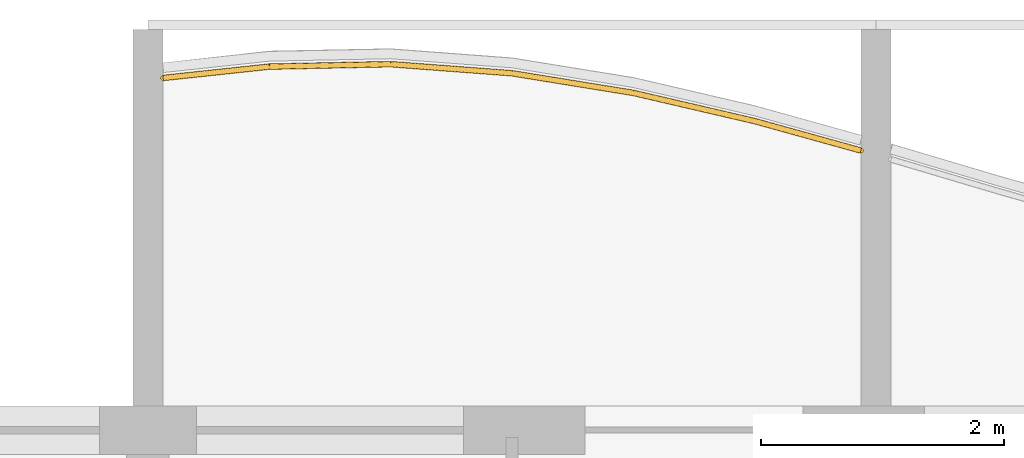
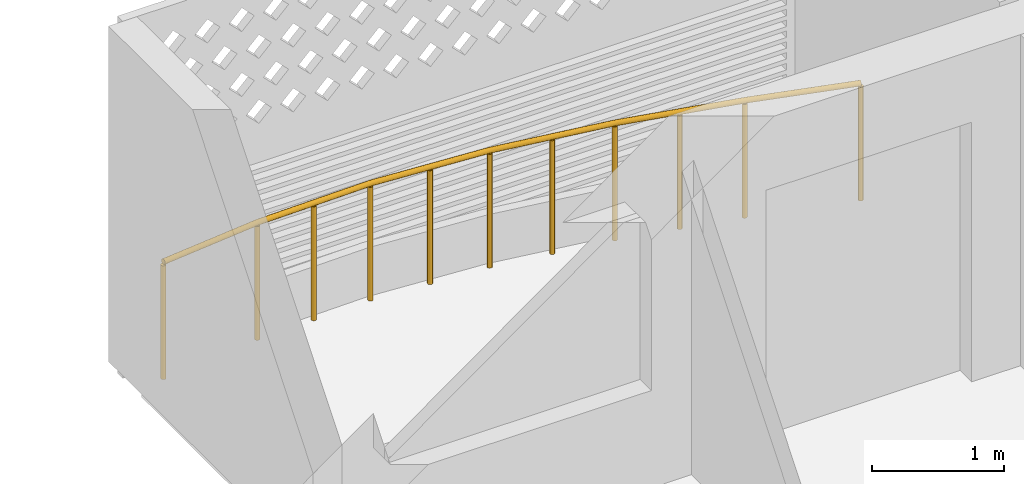
# One storey, part 24 of 30: 1 railing.
"""IFC4 building model written with IfcOpenShell, lengths in metres."""

from ifc_helpers import new_model, si_unit, direction, frame, origin, origin_2d, place, context, subcontext, project, spatial, circle, extrude, material, type_object, element, save


model = new_model("IFC4")

# Units and contexts
model_context = context("Model", 3, precision=1e-05, world=origin(), true_north=direction((0.0, 1.0)))
body_context = subcontext(model_context, "Body", "Model", "MODEL_VIEW")
ifc_project = project(units=[si_unit("LENGTHUNIT", "METRE"), si_unit("AREAUNIT", "SQUARE_METRE"), si_unit("VOLUMEUNIT", "CUBIC_METRE"), si_unit("PLANEANGLEUNIT", "RADIAN"), si_unit("MASSUNIT", "GRAM", prefix="KILO")], contexts=[model_context])

# Site, building, storey
site_placement = place(None, origin())
site = spatial("IfcSite", under=ifc_project, at=site_placement, CompositionType="ELEMENT")
building_placement = place(site_placement, origin())
building = spatial("IfcBuilding", under=site, at=building_placement, Name="Poui Terraces", CompositionType="ELEMENT")
storey_placement = place(building_placement, frame((0.0, 0.0, 99.300048828125)))
storey = spatial("IfcBuildingStorey", under=building, at=storey_placement, Name="L27", CompositionType="ELEMENT", Elevation=99.300048828125)

# Railing
ifc_material = material(Name="Painted steel fretwork", Category="steel")
railing_type = type_object("IfcRailingType", Name="BALCONY GUARD 1100", PredefinedType="GUARDRAIL", material=ifc_material)
railing_placement = place(storey_placement, frame((66.125, 46.502197265625, 0.0)))
element("IfcRailing", 1, at=railing_placement, inside=storey, type_object=railing_type, Name="BALCONY GUARD", PredefinedType="GUARDRAIL", context=body_context, shape_type="SweptSolid", body=[
    extrude(circle(Radius=0.02392578125, at=origin_2d()), frame((0.0, 0.0, 1.076171875), z_axis=(0.99430915392, 0.106533123634, 0.0), x_axis=(-0.106533123634, 0.99430915392, 0.0)), (0.0, 0.0, 1.0), 0.880126953125),
    extrude(circle(Radius=0.02392578125, at=origin_2d()), frame((0.875, 0.09375, 1.076171875), z_axis=(0.999799669399, 0.020015520725, 0.0), x_axis=(-0.020015520725, 0.999799669399, 0.0)), (0.0, 0.0, 1.0), 1.000244140625),
    extrude(circle(Radius=0.02392578125, at=origin_2d()), frame((1.875, 0.11376953125, 1.076171875), z_axis=(0.997202940152, -0.074741528962, 0.0), x_axis=(0.074741528962, 0.997202940152, 0.0)), (0.0, 0.0, 1.0), 1.002685546875),
    extrude(circle(Radius=0.02392578125, at=origin_2d()), frame((2.875, 0.038818359375, 1.076171875), z_axis=(0.987151750337, -0.159785549432, 0.0), x_axis=(0.159785549432, 0.987151750337, 0.0)), (0.0, 0.0, 1.0), 1.012939453125),
    extrude(circle(Radius=0.02392578125, at=origin_2d()), frame((3.875, -0.123046875, 1.076171875), z_axis=(0.974037301865, -0.226387576019, 0.0), x_axis=(0.226387576019, 0.974037301865, 0.0)), (0.0, 0.0, 1.0), 1.026611328125),
    extrude(circle(Radius=0.02392578125, at=origin_2d()), frame((4.875, -0.35546875, 1.076171875), z_axis=(0.963694902628, -0.267005870064, 0.0), x_axis=(0.267005870064, 0.963694902628, 0.0)), (0.0, 0.0, 1.0), 0.907958984375),
    extrude(circle(Radius=0.02099609375, at=origin_2d()), origin(), (0.0, 0.0, 1.0), 1.052001953125),
    extrude(circle(Radius=0.02099609375, at=origin_2d()), frame((0.875, 0.09375, 0.0)), (0.0, 0.0, 1.0), 1.052001953125),
    extrude(circle(Radius=0.02099609375, at=origin_2d()), frame((1.375, 0.103759765625, 0.0)), (0.0, 0.0, 1.0), 1.052001953125),
    extrude(circle(Radius=0.02099609375, at=origin_2d()), frame((1.875, 0.11376953125, 0.0)), (0.0, 0.0, 1.0), 1.052001953125),
    extrude(circle(Radius=0.02099609375, at=origin_2d()), frame((2.375, 0.076171875, 0.0)), (0.0, 0.0, 1.0), 1.052001953125),
    extrude(circle(Radius=0.02099609375, at=origin_2d()), frame((2.875, 0.038818359375, 0.0)), (0.0, 0.0, 1.0), 1.052001953125),
    extrude(circle(Radius=0.02099609375, at=origin_2d()), frame((3.375, -0.0419921875, 0.0)), (0.0, 0.0, 1.0), 1.052001953125),
    extrude(circle(Radius=0.02099609375, at=origin_2d()), frame((3.875, -0.123046875, 0.0)), (0.0, 0.0, 1.0), 1.052001953125),
    extrude(circle(Radius=0.02099609375, at=origin_2d()), frame((4.375, -0.2392578125, 0.0)), (0.0, 0.0, 1.0), 1.052001953125),
    extrude(circle(Radius=0.02099609375, at=origin_2d()), frame((4.875, -0.35546875, 0.0)), (0.0, 0.0, 1.0), 1.052001953125),
    extrude(circle(Radius=0.02099609375, at=origin_2d()), frame((5.75, -0.597900390625, 0.0)), (0.0, 0.0, 1.0), 1.052001953125),
])

save(model, "model.ifc")
